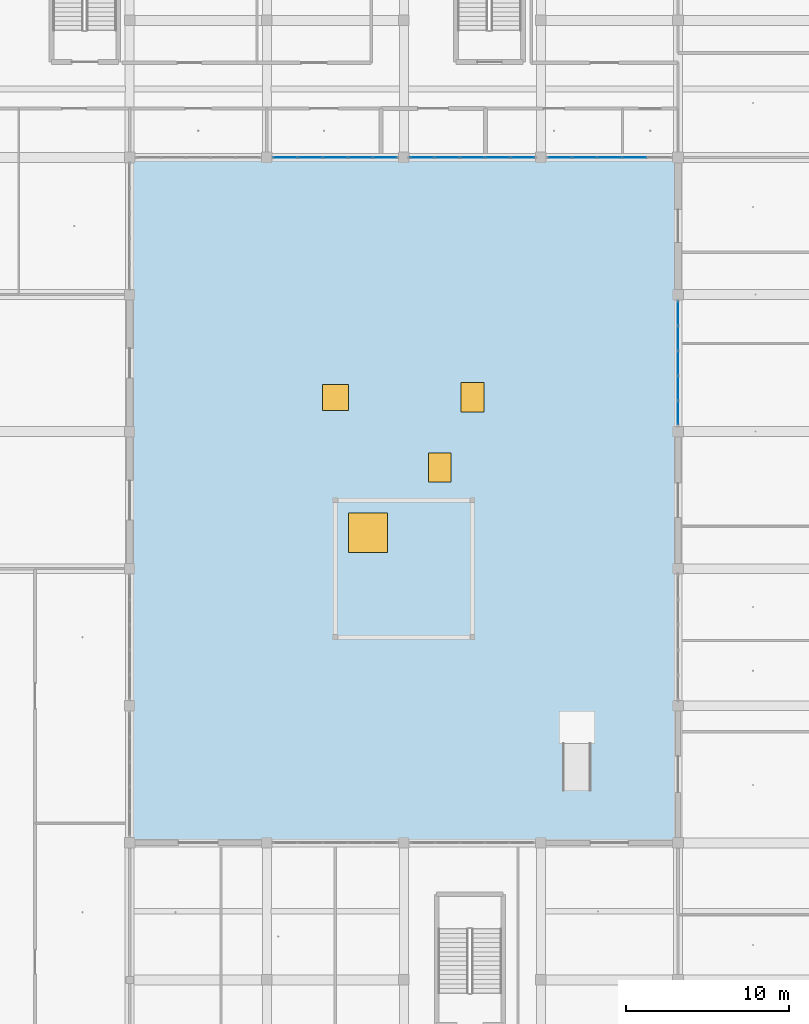
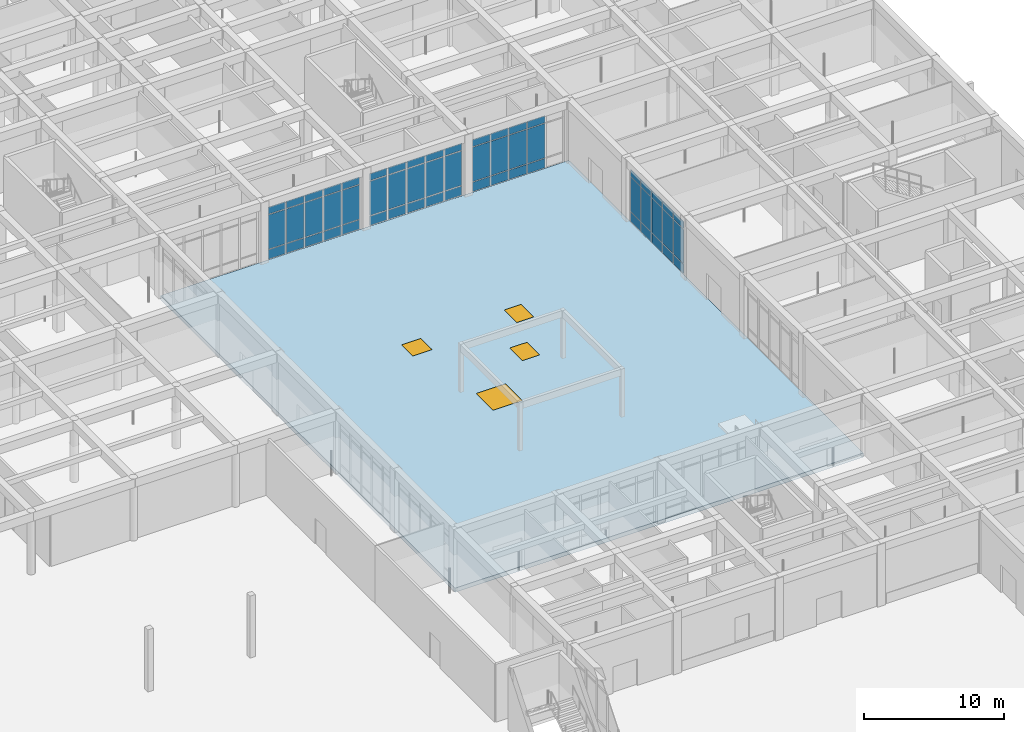
# One storey, part 58 of 167: 57 plates, 4 windows, 1 slab, 4 openings, 4 elements without a shape of their own.
"""IFC4 building model written with IfcOpenShell, lengths in metres."""

import ifcopenshell
import ifcopenshell.guid

model = None  # the IFC model being written
_history = None  # IfcOwnerHistory: only IFC2X3 demands one
_inside = {}  # id of a spatial element -> (the spatial element, [elements in it])
_under = {}  # id of a project, library or spatial element -> (it, [spatial elements below it])
_declared = {}  # id of a project -> (the project, [libraries it declares])
_typed = {}  # id of a type object -> (the type object, [elements of that type])
_made_of = {}  # id of a material, layer set ... -> (it, [elements and type objects made of it])


def new_model(schema):
    """Start an empty IFC model of exactly this schema.

    Asked for "IFC4X3", IfcOpenShell would pick the latest addendum, in which some entities
    have other attributes; the version numbers below select the first issue.
    IFC2X3 requires an IfcOwnerHistory on every rooted entity: one is made here for all.
    """
    global model, _history
    if schema == "IFC4X3":
        model = ifcopenshell.file(schema_version=(4, 3, 0, 0))
    else:
        model = ifcopenshell.file(schema=schema)
    _inside.clear()
    _under.clear()
    _declared.clear()
    _typed.clear()
    _made_of.clear()
    _history = None
    if model.schema == "IFC2X3":
        org = make("IfcOrganization", Name="unknown")
        user = make(
            "IfcPersonAndOrganization",
            ThePerson=make("IfcPerson", FamilyName="unknown"),
            TheOrganization=org,
        )
        app = make(
            "IfcApplication",
            ApplicationDeveloper=org,
            Version="unknown",
            ApplicationFullName="unknown",
            ApplicationIdentifier="unknown",
        )
        _history = make(
            "IfcOwnerHistory",
            OwningUser=user,
            OwningApplication=app,
            ChangeAction="ADDED",
            CreationDate=0,
        )
    return model


def make(cls, **values):
    """One entity of the class cls with the attributes given. An attribute that is None is left unset."""
    return model.create_entity(
        cls, **{name: value for name, value in values.items() if value is not None}
    )


def rooted(cls, **values):
    """An entity with a GlobalId (a new one), such as an element, a storey or a relation."""
    return make(cls, GlobalId=ifcopenshell.guid.new(), OwnerHistory=_history, **values)


def si_unit(unit_type, name, prefix=None):
    """IfcSIUnit, for example si_unit("LENGTHUNIT", "METRE", prefix="MILLI")."""
    return make("IfcSIUnit", UnitType=unit_type, Prefix=prefix, Name=name)


def assignment(units):
    """IfcUnitAssignment: the units of a project."""
    return None if units is None else make("IfcUnitAssignment", Units=units)


def point(xyz):
    """IfcCartesianPoint."""
    return None if xyz is None else make("IfcCartesianPoint", Coordinates=xyz)


def direction(xyz):
    """IfcDirection."""
    return None if xyz is None else make("IfcDirection", DirectionRatios=xyz)


def frame(location, z_axis=None, x_axis=None):
    """IfcAxis2Placement3D, a coordinate frame: its origin and axes. An axis left out is left unset."""
    return make(
        "IfcAxis2Placement3D",
        Location=point(location),
        Axis=direction(z_axis),
        RefDirection=direction(x_axis),
    )


def frame_2d(location, x_axis=None):
    """IfcAxis2Placement2D, a coordinate frame in the plane: its origin and x axis."""
    return make(
        "IfcAxis2Placement2D", Location=point(location), RefDirection=direction(x_axis)
    )


def origin():
    """The frame at (0, 0, 0) with its axes left unset."""
    return frame((0.0, 0.0, 0.0))


def origin_2d():
    """The frame at (0, 0) in the plane with its x axis left unset."""
    return frame_2d((0.0, 0.0))


def place(relative_to, where):
    """IfcLocalPlacement: puts the frame where relative to a parent placement (None: the world)."""
    return make(
        "IfcLocalPlacement", PlacementRelTo=relative_to, RelativePlacement=where
    )


def context(
    kind, dimensions, precision=None, world=None, true_north=None, identifier=None
):
    """IfcGeometricRepresentationContext, for example the 3D "Model" context."""
    return make(
        "IfcGeometricRepresentationContext",
        ContextIdentifier=identifier,
        ContextType=kind,
        CoordinateSpaceDimension=dimensions,
        Precision=precision,
        WorldCoordinateSystem=world,
        TrueNorth=true_north,
    )


def subcontext(parent, identifier, kind, view, scale=None):
    """IfcGeometricRepresentationSubContext, for example "Body" below "Model"."""
    return make(
        "IfcGeometricRepresentationSubContext",
        ContextIdentifier=identifier,
        ContextType=kind,
        ParentContext=parent,
        TargetScale=scale,
        TargetView=view,
    )


def project(units=None, contexts=None):
    """IfcProject with its units and contexts."""
    return rooted(
        "IfcProject",
        Name="project",
        RepresentationContexts=contexts,
        UnitsInContext=assignment(units),
    )


def spatial(cls, under=None, at=None, **own):
    """A site, building, storey or space (cls), placed at a placement, below another one or the project."""
    s = rooted(cls, ObjectPlacement=at, **own)
    if under is not None:
        _under.setdefault(under.id(), (under, []))[1].append(s)
    return s


def polyline(points):
    """IfcPolyline through the points."""
    return make("IfcPolyline", Points=[point(p) for p in points])


def profile(cls, at=None, kind="AREA", **sizes):
    """A parametric profile (cls). Its sizes go by their IFC names, for example OverallWidth=200.0."""
    return make(cls, ProfileType=kind, Position=at, **sizes)


def rectangle(**sizes):
    """IfcRectangleProfileDef."""
    return profile("IfcRectangleProfileDef", **sizes)


def outline(outer, holes=None, kind="AREA"):
    """IfcArbitraryClosedProfileDef: a profile drawn as a closed curve; with holes, ...WithVoids."""
    if holes is None:
        return make("IfcArbitraryClosedProfileDef", ProfileType=kind, OuterCurve=outer)
    return make(
        "IfcArbitraryProfileDefWithVoids",
        ProfileType=kind,
        OuterCurve=outer,
        InnerCurves=holes,
    )


def extrude(swept, where, along, depth):
    """IfcExtrudedAreaSolid: the profile swept, set in the frame where, extruded along a direction by depth."""
    return make(
        "IfcExtrudedAreaSolid",
        SweptArea=swept,
        Position=where,
        ExtrudedDirection=direction(along),
        Depth=depth,
    )


def shape(context_of_items, identifier, shape_type, items):
    """IfcShapeRepresentation: the items that make up one representation, for example the "Body"."""
    return make(
        "IfcShapeRepresentation",
        ContextOfItems=context_of_items,
        RepresentationIdentifier=identifier,
        RepresentationType=shape_type,
        Items=items,
    )


def material(Name=None, Category=None):
    """IfcMaterial."""
    return make("IfcMaterial", Name=Name, Category=Category)


def layer(
    of_material, thickness, ventilated=None, Name=None, Category=None, Priority=None
):
    """IfcMaterialLayer: one layer of a wall or slab, of a material (None: an air gap)."""
    return make(
        "IfcMaterialLayer",
        Material=of_material,
        LayerThickness=thickness,
        IsVentilated=ventilated,
        Name=Name,
        Category=Category,
        Priority=Priority,
    )


def layer_set(layers, Name=None):
    """IfcMaterialLayerSet."""
    return make("IfcMaterialLayerSet", MaterialLayers=layers, LayerSetName=Name)


def made_of(thing, what):
    """Note that an element or type object is made of a material, layer set ...; save() writes the relation."""
    if what is not None:
        _made_of.setdefault(what.id(), (what, []))[1].append(thing)
    return thing


def type_object(cls, material=None, **own):
    """A type object (cls), such as IfcWallType, which elements share."""
    return made_of(rooted(cls, **own), material)


def element(
    cls,
    number,
    at=None,
    inside=None,
    cuts=None,
    type_object=None,
    material=None,
    context=None,
    identifier="Body",
    shape_type=None,
    held_by="IfcProductDefinitionShape",
    body=None,
    shapes=None,
    **own,
):
    """One element of the class cls, such as IfcWall. Its Tag is "e" and its number.

    at: its placement. inside: the storey or other place that contains it. cuts: it is an
    opening in that element (IfcRelVoidsElement). A single representation is given by context,
    identifier, shape_type and body (its items); several are given by shapes. held_by: the class
    of the entity that holds the representations. save() writes the other relations.
    """
    e = rooted(cls, Tag="e%d" % number, ObjectPlacement=at, **own)
    if body is not None:
        shapes = [shape(context, identifier, shape_type, body)]
    if shapes is not None:
        e.Representation = make(held_by, Representations=shapes)
    if inside is not None:
        _inside.setdefault(inside.id(), (inside, []))[1].append(e)
    if cuts is not None:
        rooted(
            "IfcRelVoidsElement", RelatingBuildingElement=cuts, RelatedOpeningElement=e
        )
    if type_object is not None:
        _typed.setdefault(type_object.id(), (type_object, []))[1].append(e)
    return made_of(e, material)


def fill(opening, filler):
    """IfcRelFillsElement: the door or window that sits in an opening."""
    return rooted(
        "IfcRelFillsElement",
        RelatingOpeningElement=opening,
        RelatedBuildingElement=filler,
    )


def aggregate(whole, parts):
    """IfcRelAggregates: a whole, such as a stair, and the parts it consists of."""
    return rooted("IfcRelAggregates", RelatingObject=whole, RelatedObjects=parts)


def save(model, path):
    """Write the relations noted so far, then the file.

    IfcRelAggregates (storeys below a building ...), IfcRelContainedInSpatialStructure (elements
    in a storey), IfcRelDefinesByType, IfcRelAssociatesMaterial and IfcRelDeclares: one each for
    every whole, place, type object, material and project.
    """
    for whole, parts in _under.values():
        aggregate(whole, parts)
    for where, things in _inside.values():
        rooted(
            "IfcRelContainedInSpatialStructure",
            RelatedElements=things,
            RelatingStructure=where,
        )
    for kind, things in _typed.values():
        rooted("IfcRelDefinesByType", RelatedObjects=things, RelatingType=kind)
    for what, things in _made_of.values():
        rooted("IfcRelAssociatesMaterial", RelatedObjects=things, RelatingMaterial=what)
    for by, libraries in _declared.values():
        rooted("IfcRelDeclares", RelatingContext=by, RelatedDefinitions=libraries)
    model.write(path)


model = new_model("IFC4")

# Units and contexts
model_context = context("Model", 3, precision=1e-05, world=origin(), true_north=direction((0.0, 1.0)))
body_context = subcontext(model_context, "Body", "Model", "MODEL_VIEW")
ifc_project = project(units=[si_unit("LENGTHUNIT", "METRE"), si_unit("AREAUNIT", "SQUARE_METRE"), si_unit("VOLUMEUNIT", "CUBIC_METRE"), si_unit("PLANEANGLEUNIT", "RADIAN"), si_unit("MASSUNIT", "GRAM", prefix="KILO")], contexts=[model_context])

# Site, building, storey
site_placement = place(None, origin())
site = spatial("IfcSite", under=ifc_project, at=site_placement, CompositionType="ELEMENT")
building_placement = place(site_placement, origin())
building = spatial("IfcBuilding", under=site, at=building_placement, Name="Varncliffe General Hospital", CompositionType="ELEMENT")
storey_placement = place(building_placement, origin())
storey = spatial("IfcBuildingStorey", under=building, at=storey_placement, Name="L00", CompositionType="ELEMENT", Elevation=0.0)

# Curtain wall, plates
ifc_material_1 = material(Name="Triple low-E argon insulated vision glazing", Category="glass")
curtain_wall_type_1 = type_object("IfcCurtainWallType", Name="Unitised Glazed Curtain Wall CW26 (7594x4640)", PredefinedType="USERDEFINED", material=ifc_material_1)
curtain_wall_1_placement = place(storey_placement, origin())
curtain_wall_1 = element("IfcCurtainWall", 1, at=curtain_wall_1_placement, inside=storey, type_object=curtain_wall_type_1, Name="L00 Glazed Curtain Wall CW26-32", ObjectType="GLAZED CURTAIN WALL", PredefinedType="USERDEFINED")
ifc_layer_1 = layer(ifc_material_1, 0.0439453125)
ifc_layer_set_1 = layer_set([ifc_layer_1], Name="Triple low-E argon insulated vision glazing")
plate_type_1 = type_object("IfcPlateType", Name="Curtain Wall Glazing Panel CP12 (44mm)", PredefinedType="CURTAIN_PANEL", material=ifc_layer_set_1)
plate_1_placement = place(storey_placement, frame((148.518798828125, 82.800048828125, 0.06005859375), z_axis=(0.0, 0.0, 1.0), x_axis=(-1.0, 0.0, 0.0)))
plate_1 = element("IfcPlate", 2, at=plate_1_placement, type_object=plate_type_1, Name="CW26 panel 2.1", PredefinedType="CURTAIN_PANEL", context=body_context, shape_type="SweptSolid", body=[
    extrude(rectangle(XDim=1.453857421875, YDim=0.0439453125, at=origin_2d()), origin(), (0.0, 0.0, 1.0), 0.81005859375),
])
plate_2_placement = place(storey_placement, frame((148.518798828125, 82.800048828125, 0.929931640625), z_axis=(0.0, 0.0, 1.0), x_axis=(-1.0, 0.0, 0.0)))
plate_2 = element("IfcPlate", 3, at=plate_2_placement, type_object=plate_type_1, Name="CW26 panel 2.2", PredefinedType="CURTAIN_PANEL", context=body_context, shape_type="SweptSolid", body=[
    extrude(rectangle(XDim=1.453857421875, YDim=0.0439453125, at=origin_2d()), origin(), (0.0, 0.0, 1.0), 2.97998046875),
])
plate_3_placement = place(storey_placement, frame((148.518798828125, 82.800048828125, 3.9697265625), z_axis=(0.0, 0.0, 1.0), x_axis=(-1.0, 0.0, 0.0)))
plate_3 = element("IfcPlate", 4, at=plate_3_placement, type_object=plate_type_1, Name="CW26 panel 2.3", PredefinedType="CURTAIN_PANEL", context=body_context, shape_type="SweptSolid", body=[
    extrude(rectangle(XDim=1.453857421875, YDim=0.0439453125, at=origin_2d()), origin(), (0.0, 0.0, 1.0), 0.610107421875),
])
plate_4_placement = place(storey_placement, frame((147.0, 82.800048828125, 0.06005859375), z_axis=(0.0, 0.0, 1.0), x_axis=(-1.0, 0.0, 0.0)))
plate_4 = element("IfcPlate", 5, at=plate_4_placement, type_object=plate_type_1, Name="CW26 panel 3.1", PredefinedType="CURTAIN_PANEL", context=body_context, shape_type="SweptSolid", body=[
    extrude(rectangle(XDim=1.453857421875, YDim=0.0439453125, at=origin_2d()), origin(), (0.0, 0.0, 1.0), 0.81005859375),
])
plate_5_placement = place(storey_placement, frame((147.0, 82.800048828125, 0.929931640625), z_axis=(0.0, 0.0, 1.0), x_axis=(-1.0, 0.0, 0.0)))
plate_5 = element("IfcPlate", 6, at=plate_5_placement, type_object=plate_type_1, Name="CW26 panel 3.2", PredefinedType="CURTAIN_PANEL", context=body_context, shape_type="SweptSolid", body=[
    extrude(rectangle(XDim=1.453857421875, YDim=0.0439453125, at=origin_2d()), origin(), (0.0, 0.0, 1.0), 2.97998046875),
])
plate_6_placement = place(storey_placement, frame((147.0, 82.800048828125, 3.9697265625), z_axis=(0.0, 0.0, 1.0), x_axis=(-1.0, 0.0, 0.0)))
plate_6 = element("IfcPlate", 7, at=plate_6_placement, type_object=plate_type_1, Name="CW26 panel 3.3", PredefinedType="CURTAIN_PANEL", context=body_context, shape_type="SweptSolid", body=[
    extrude(rectangle(XDim=1.453857421875, YDim=0.0439453125, at=origin_2d()), origin(), (0.0, 0.0, 1.0), 0.610107421875),
])
plate_7_placement = place(storey_placement, frame((145.481201171875, 82.800048828125, 0.06005859375), z_axis=(0.0, 0.0, 1.0), x_axis=(-1.0, 0.0, 0.0)))
plate_7 = element("IfcPlate", 8, at=plate_7_placement, type_object=plate_type_1, Name="CW26 panel 4.1", PredefinedType="CURTAIN_PANEL", context=body_context, shape_type="SweptSolid", body=[
    extrude(rectangle(XDim=1.453857421875, YDim=0.0439453125, at=origin_2d()), origin(), (0.0, 0.0, 1.0), 0.81005859375),
])
plate_8_placement = place(storey_placement, frame((145.481201171875, 82.800048828125, 0.929931640625), z_axis=(0.0, 0.0, 1.0), x_axis=(-1.0, 0.0, 0.0)))
plate_8 = element("IfcPlate", 9, at=plate_8_placement, type_object=plate_type_1, Name="CW26 panel 4.2", PredefinedType="CURTAIN_PANEL", context=body_context, shape_type="SweptSolid", body=[
    extrude(rectangle(XDim=1.453857421875, YDim=0.0439453125, at=origin_2d()), origin(), (0.0, 0.0, 1.0), 2.97998046875),
])
plate_9_placement = place(storey_placement, frame((145.481201171875, 82.800048828125, 3.9697265625), z_axis=(0.0, 0.0, 1.0), x_axis=(-1.0, 0.0, 0.0)))
plate_9 = element("IfcPlate", 10, at=plate_9_placement, type_object=plate_type_1, Name="CW26 panel 4.3", PredefinedType="CURTAIN_PANEL", context=body_context, shape_type="SweptSolid", body=[
    extrude(rectangle(XDim=1.453857421875, YDim=0.0439453125, at=origin_2d()), origin(), (0.0, 0.0, 1.0), 0.610107421875),
])
plate_10_placement = place(storey_placement, frame((143.978759765625, 82.800048828125, 0.06005859375), z_axis=(0.0, 0.0, 1.0), x_axis=(-1.0, 0.0, 0.0)))
plate_10 = element("IfcPlate", 11, at=plate_10_placement, type_object=plate_type_1, Name="CW26 panel 5.1", PredefinedType="CURTAIN_PANEL", context=body_context, shape_type="SweptSolid", body=[
    extrude(rectangle(XDim=1.42138671875, YDim=0.0439453125, at=origin_2d()), origin(), (0.0, 0.0, 1.0), 0.81005859375),
])
plate_11_placement = place(storey_placement, frame((143.978759765625, 82.800048828125, 0.929931640625), z_axis=(0.0, 0.0, 1.0), x_axis=(-1.0, 0.0, 0.0)))
plate_11 = element("IfcPlate", 12, at=plate_11_placement, type_object=plate_type_1, Name="CW26 panel 5.2", PredefinedType="CURTAIN_PANEL", context=body_context, shape_type="SweptSolid", body=[
    extrude(rectangle(XDim=1.42138671875, YDim=0.0439453125, at=origin_2d()), origin(), (0.0, 0.0, 1.0), 2.97998046875),
])
plate_12_placement = place(storey_placement, frame((143.978759765625, 82.800048828125, 3.9697265625), z_axis=(0.0, 0.0, 1.0), x_axis=(-1.0, 0.0, 0.0)))
plate_12 = element("IfcPlate", 13, at=plate_12_placement, type_object=plate_type_1, Name="CW26 panel 5.3", PredefinedType="CURTAIN_PANEL", context=body_context, shape_type="SweptSolid", body=[
    extrude(rectangle(XDim=1.42138671875, YDim=0.0439453125, at=origin_2d()), origin(), (0.0, 0.0, 1.0), 0.610107421875),
])
aggregate(curtain_wall_1, [plate_1, plate_2, plate_3, plate_4, plate_5, plate_6, plate_7, plate_8, plate_9, plate_10, plate_11, plate_12])

curtain_wall_type_2 = type_object("IfcCurtainWallType", Name="Unitised Glazed Curtain Wall CW15 (7674x4640)", PredefinedType="USERDEFINED", material=ifc_material_1)
curtain_wall_2_placement = place(storey_placement, origin())
curtain_wall_2 = element("IfcCurtainWall", 14, at=curtain_wall_2_placement, inside=storey, type_object=curtain_wall_type_2, Name="L00 Glazed Curtain Wall CW15-31", ObjectType="GLAZED CURTAIN WALL", PredefinedType="USERDEFINED")
ifc_layer_2 = layer(ifc_material_1, 0.035888671875)
ifc_layer_set_2 = layer_set([ifc_layer_2], Name="Triple low-E argon insulated vision glazing")
plate_type_2 = type_object("IfcPlateType", Name="Curtain Wall Glazing Panel CP27 (36mm)", PredefinedType="CURTAIN_PANEL", material=ifc_layer_set_2)
plate_13_placement = place(storey_placement, frame((151.199951171875, 67.149169921875, 0.06005859375), z_axis=(0.0, 0.0, 1.0), x_axis=(0.0, 1.0, 0.0)))
plate_13 = element("IfcPlate", 15, at=plate_13_placement, type_object=plate_type_2, Name="CW15 panel 1.1", PredefinedType="CURTAIN_PANEL", context=body_context, shape_type="SweptSolid", body=[
    extrude(rectangle(XDim=1.42236328125, YDim=0.035888671875, at=origin_2d()), origin(), (0.0, 0.0, 1.0), 0.81005859375),
])
plate_14_placement = place(storey_placement, frame((151.199951171875, 67.149169921875, 0.929931640625), z_axis=(0.0, 0.0, 1.0), x_axis=(0.0, 1.0, 0.0)))
plate_14 = element("IfcPlate", 16, at=plate_14_placement, type_object=plate_type_2, Name="CW15 panel 1.2", PredefinedType="CURTAIN_PANEL", context=body_context, shape_type="SweptSolid", body=[
    extrude(rectangle(XDim=1.42236328125, YDim=0.035888671875, at=origin_2d()), origin(), (0.0, 0.0, 1.0), 2.97998046875),
])
plate_15_placement = place(storey_placement, frame((151.199951171875, 67.149169921875, 3.9697265625), z_axis=(0.0, 0.0, 1.0), x_axis=(0.0, 1.0, 0.0)))
plate_15 = element("IfcPlate", 17, at=plate_15_placement, type_object=plate_type_2, Name="CW15 panel 1.3", PredefinedType="CURTAIN_PANEL", context=body_context, shape_type="SweptSolid", body=[
    extrude(rectangle(XDim=1.42236328125, YDim=0.035888671875, at=origin_2d()), origin(), (0.0, 0.0, 1.0), 0.610107421875),
])
plate_16_placement = place(storey_placement, frame((151.199951171875, 68.665283203125, 0.06005859375), z_axis=(0.0, 0.0, 1.0), x_axis=(0.0, 1.0, 0.0)))
plate_16 = element("IfcPlate", 18, at=plate_16_placement, type_object=plate_type_2, Name="CW15 panel 2.1", PredefinedType="CURTAIN_PANEL", context=body_context, shape_type="SweptSolid", body=[
    extrude(rectangle(XDim=1.459716796875, YDim=0.035888671875, at=origin_2d()), origin(), (0.0, 0.0, 1.0), 0.81005859375),
])
plate_17_placement = place(storey_placement, frame((151.199951171875, 68.665283203125, 0.929931640625), z_axis=(0.0, 0.0, 1.0), x_axis=(0.0, 1.0, 0.0)))
plate_17 = element("IfcPlate", 19, at=plate_17_placement, type_object=plate_type_2, Name="CW15 panel 2.2", PredefinedType="CURTAIN_PANEL", context=body_context, shape_type="SweptSolid", body=[
    extrude(rectangle(XDim=1.459716796875, YDim=0.035888671875, at=origin_2d()), origin(), (0.0, 0.0, 1.0), 2.97998046875),
])
plate_18_placement = place(storey_placement, frame((151.199951171875, 68.665283203125, 3.9697265625), z_axis=(0.0, 0.0, 1.0), x_axis=(0.0, 1.0, 0.0)))
plate_18 = element("IfcPlate", 20, at=plate_18_placement, type_object=plate_type_2, Name="CW15 panel 2.3", PredefinedType="CURTAIN_PANEL", context=body_context, shape_type="SweptSolid", body=[
    extrude(rectangle(XDim=1.459716796875, YDim=0.035888671875, at=origin_2d()), origin(), (0.0, 0.0, 1.0), 0.610107421875),
])
plate_19_placement = place(storey_placement, frame((151.199951171875, 70.199951171875, 0.06005859375), z_axis=(0.0, 0.0, 1.0), x_axis=(0.0, 1.0, 0.0)))
plate_19 = element("IfcPlate", 21, at=plate_19_placement, type_object=plate_type_2, Name="CW15 panel 3.1", PredefinedType="CURTAIN_PANEL", context=body_context, shape_type="SweptSolid", body=[
    extrude(rectangle(XDim=1.459716796875, YDim=0.035888671875, at=origin_2d()), origin(), (0.0, 0.0, 1.0), 0.81005859375),
])
plate_20_placement = place(storey_placement, frame((151.199951171875, 70.199951171875, 0.929931640625), z_axis=(0.0, 0.0, 1.0), x_axis=(0.0, 1.0, 0.0)))
plate_20 = element("IfcPlate", 22, at=plate_20_placement, type_object=plate_type_2, Name="CW15 panel 3.2", PredefinedType="CURTAIN_PANEL", context=body_context, shape_type="SweptSolid", body=[
    extrude(rectangle(XDim=1.459716796875, YDim=0.035888671875, at=origin_2d()), origin(), (0.0, 0.0, 1.0), 2.97998046875),
])
plate_21_placement = place(storey_placement, frame((151.199951171875, 70.199951171875, 3.9697265625), z_axis=(0.0, 0.0, 1.0), x_axis=(0.0, 1.0, 0.0)))
plate_21 = element("IfcPlate", 23, at=plate_21_placement, type_object=plate_type_2, Name="CW15 panel 3.3", PredefinedType="CURTAIN_PANEL", context=body_context, shape_type="SweptSolid", body=[
    extrude(rectangle(XDim=1.459716796875, YDim=0.035888671875, at=origin_2d()), origin(), (0.0, 0.0, 1.0), 0.610107421875),
])
plate_22_placement = place(storey_placement, frame((151.199951171875, 71.73486328125, 0.06005859375), z_axis=(0.0, 0.0, 1.0), x_axis=(0.0, 1.0, 0.0)))
plate_22 = element("IfcPlate", 24, at=plate_22_placement, type_object=plate_type_2, Name="CW15 panel 4.1", PredefinedType="CURTAIN_PANEL", context=body_context, shape_type="SweptSolid", body=[
    extrude(rectangle(XDim=1.459716796875, YDim=0.035888671875, at=origin_2d()), origin(), (0.0, 0.0, 1.0), 0.81005859375),
])
plate_23_placement = place(storey_placement, frame((151.199951171875, 71.73486328125, 0.929931640625), z_axis=(0.0, 0.0, 1.0), x_axis=(0.0, 1.0, 0.0)))
plate_23 = element("IfcPlate", 25, at=plate_23_placement, type_object=plate_type_2, Name="CW15 panel 4.2", PredefinedType="CURTAIN_PANEL", context=body_context, shape_type="SweptSolid", body=[
    extrude(rectangle(XDim=1.459716796875, YDim=0.035888671875, at=origin_2d()), origin(), (0.0, 0.0, 1.0), 2.97998046875),
])
plate_24_placement = place(storey_placement, frame((151.199951171875, 71.73486328125, 3.9697265625), z_axis=(0.0, 0.0, 1.0), x_axis=(0.0, 1.0, 0.0)))
plate_24 = element("IfcPlate", 26, at=plate_24_placement, type_object=plate_type_2, Name="CW15 panel 4.3", PredefinedType="CURTAIN_PANEL", context=body_context, shape_type="SweptSolid", body=[
    extrude(rectangle(XDim=1.459716796875, YDim=0.035888671875, at=origin_2d()), origin(), (0.0, 0.0, 1.0), 0.610107421875),
])
plate_25_placement = place(storey_placement, frame((151.199951171875, 73.250732421875, 0.06005859375), z_axis=(0.0, 0.0, 1.0), x_axis=(0.0, 1.0, 0.0)))
plate_25 = element("IfcPlate", 27, at=plate_25_placement, type_object=plate_type_2, Name="CW15 panel 5.1", PredefinedType="CURTAIN_PANEL", context=body_context, shape_type="SweptSolid", body=[
    extrude(rectangle(XDim=1.42236328125, YDim=0.035888671875, at=origin_2d()), origin(), (0.0, 0.0, 1.0), 0.81005859375),
])
plate_26_placement = place(storey_placement, frame((151.199951171875, 73.250732421875, 0.929931640625), z_axis=(0.0, 0.0, 1.0), x_axis=(0.0, 1.0, 0.0)))
plate_26 = element("IfcPlate", 28, at=plate_26_placement, type_object=plate_type_2, Name="CW15 panel 5.2", PredefinedType="CURTAIN_PANEL", context=body_context, shape_type="SweptSolid", body=[
    extrude(rectangle(XDim=1.42236328125, YDim=0.035888671875, at=origin_2d()), origin(), (0.0, 0.0, 1.0), 2.97998046875),
])
plate_27_placement = place(storey_placement, frame((151.199951171875, 73.250732421875, 3.9697265625), z_axis=(0.0, 0.0, 1.0), x_axis=(0.0, 1.0, 0.0)))
plate_27 = element("IfcPlate", 29, at=plate_27_placement, type_object=plate_type_2, Name="CW15 panel 5.3", PredefinedType="CURTAIN_PANEL", context=body_context, shape_type="SweptSolid", body=[
    extrude(rectangle(XDim=1.42236328125, YDim=0.035888671875, at=origin_2d()), origin(), (0.0, 0.0, 1.0), 0.610107421875),
])
aggregate(curtain_wall_2, [plate_13, plate_14, plate_15, plate_16, plate_17, plate_18, plate_19, plate_20, plate_21, plate_22, plate_23, plate_24, plate_25, plate_26, plate_27])

curtain_wall_3_placement = place(storey_placement, origin())
curtain_wall_3 = element("IfcCurtainWall", 30, at=curtain_wall_3_placement, inside=storey, type_object=curtain_wall_type_2, Name="L00 Glazed Curtain Wall CW15-34", ObjectType="GLAZED CURTAIN WALL", PredefinedType="USERDEFINED")
plate_28_placement = place(storey_placement, frame((133.250732421875, 82.800048828125, 0.06005859375), z_axis=(0.0, 0.0, 1.0), x_axis=(-1.0, 0.0, 0.0)))
plate_28 = element("IfcPlate", 31, at=plate_28_placement, type_object=plate_type_2, Name="CW15 panel 1.1", PredefinedType="CURTAIN_PANEL", context=body_context, shape_type="SweptSolid", body=[
    extrude(rectangle(XDim=1.42236328125, YDim=0.035888671875, at=origin_2d()), origin(), (0.0, 0.0, 1.0), 0.81005859375),
])
plate_29_placement = place(storey_placement, frame((133.250732421875, 82.800048828125, 0.929931640625), z_axis=(0.0, 0.0, 1.0), x_axis=(-1.0, 0.0, 0.0)))
plate_29 = element("IfcPlate", 32, at=plate_29_placement, type_object=plate_type_2, Name="CW15 panel 1.2", PredefinedType="CURTAIN_PANEL", context=body_context, shape_type="SweptSolid", body=[
    extrude(rectangle(XDim=1.42236328125, YDim=0.035888671875, at=origin_2d()), origin(), (0.0, 0.0, 1.0), 2.97998046875),
])
plate_30_placement = place(storey_placement, frame((133.250732421875, 82.800048828125, 3.9697265625), z_axis=(0.0, 0.0, 1.0), x_axis=(-1.0, 0.0, 0.0)))
plate_30 = element("IfcPlate", 33, at=plate_30_placement, type_object=plate_type_2, Name="CW15 panel 1.3", PredefinedType="CURTAIN_PANEL", context=body_context, shape_type="SweptSolid", body=[
    extrude(rectangle(XDim=1.42236328125, YDim=0.035888671875, at=origin_2d()), origin(), (0.0, 0.0, 1.0), 0.610107421875),
])
plate_31_placement = place(storey_placement, frame((131.73486328125, 82.800048828125, 0.06005859375), z_axis=(0.0, 0.0, 1.0), x_axis=(-1.0, 0.0, 0.0)))
plate_31 = element("IfcPlate", 34, at=plate_31_placement, type_object=plate_type_2, Name="CW15 panel 2.1", PredefinedType="CURTAIN_PANEL", context=body_context, shape_type="SweptSolid", body=[
    extrude(rectangle(XDim=1.459716796875, YDim=0.035888671875, at=origin_2d()), origin(), (0.0, 0.0, 1.0), 0.81005859375),
])
plate_32_placement = place(storey_placement, frame((131.73486328125, 82.800048828125, 0.929931640625), z_axis=(0.0, 0.0, 1.0), x_axis=(-1.0, 0.0, 0.0)))
plate_32 = element("IfcPlate", 35, at=plate_32_placement, type_object=plate_type_2, Name="CW15 panel 2.2", PredefinedType="CURTAIN_PANEL", context=body_context, shape_type="SweptSolid", body=[
    extrude(rectangle(XDim=1.459716796875, YDim=0.035888671875, at=origin_2d()), origin(), (0.0, 0.0, 1.0), 2.97998046875),
])
plate_33_placement = place(storey_placement, frame((131.73486328125, 82.800048828125, 3.9697265625), z_axis=(0.0, 0.0, 1.0), x_axis=(-1.0, 0.0, 0.0)))
plate_33 = element("IfcPlate", 36, at=plate_33_placement, type_object=plate_type_2, Name="CW15 panel 2.3", PredefinedType="CURTAIN_PANEL", context=body_context, shape_type="SweptSolid", body=[
    extrude(rectangle(XDim=1.459716796875, YDim=0.035888671875, at=origin_2d()), origin(), (0.0, 0.0, 1.0), 0.610107421875),
])
plate_34_placement = place(storey_placement, frame((130.199951171875, 82.800048828125, 0.06005859375), z_axis=(0.0, 0.0, 1.0), x_axis=(-1.0, 0.0, 0.0)))
plate_34 = element("IfcPlate", 37, at=plate_34_placement, type_object=plate_type_2, Name="CW15 panel 3.1", PredefinedType="CURTAIN_PANEL", context=body_context, shape_type="SweptSolid", body=[
    extrude(rectangle(XDim=1.459716796875, YDim=0.035888671875, at=origin_2d()), origin(), (0.0, 0.0, 1.0), 0.81005859375),
])
plate_35_placement = place(storey_placement, frame((130.199951171875, 82.800048828125, 0.929931640625), z_axis=(0.0, 0.0, 1.0), x_axis=(-1.0, 0.0, 0.0)))
plate_35 = element("IfcPlate", 38, at=plate_35_placement, type_object=plate_type_2, Name="CW15 panel 3.2", PredefinedType="CURTAIN_PANEL", context=body_context, shape_type="SweptSolid", body=[
    extrude(rectangle(XDim=1.459716796875, YDim=0.035888671875, at=origin_2d()), origin(), (0.0, 0.0, 1.0), 2.97998046875),
])
plate_36_placement = place(storey_placement, frame((130.199951171875, 82.800048828125, 3.9697265625), z_axis=(0.0, 0.0, 1.0), x_axis=(-1.0, 0.0, 0.0)))
plate_36 = element("IfcPlate", 39, at=plate_36_placement, type_object=plate_type_2, Name="CW15 panel 3.3", PredefinedType="CURTAIN_PANEL", context=body_context, shape_type="SweptSolid", body=[
    extrude(rectangle(XDim=1.459716796875, YDim=0.035888671875, at=origin_2d()), origin(), (0.0, 0.0, 1.0), 0.610107421875),
])
plate_37_placement = place(storey_placement, frame((128.665283203125, 82.800048828125, 0.06005859375), z_axis=(0.0, 0.0, 1.0), x_axis=(-1.0, 0.0, 0.0)))
plate_37 = element("IfcPlate", 40, at=plate_37_placement, type_object=plate_type_2, Name="CW15 panel 4.1", PredefinedType="CURTAIN_PANEL", context=body_context, shape_type="SweptSolid", body=[
    extrude(rectangle(XDim=1.459716796875, YDim=0.035888671875, at=origin_2d()), origin(), (0.0, 0.0, 1.0), 0.81005859375),
])
plate_38_placement = place(storey_placement, frame((128.665283203125, 82.800048828125, 0.929931640625), z_axis=(0.0, 0.0, 1.0), x_axis=(-1.0, 0.0, 0.0)))
plate_38 = element("IfcPlate", 41, at=plate_38_placement, type_object=plate_type_2, Name="CW15 panel 4.2", PredefinedType="CURTAIN_PANEL", context=body_context, shape_type="SweptSolid", body=[
    extrude(rectangle(XDim=1.459716796875, YDim=0.035888671875, at=origin_2d()), origin(), (0.0, 0.0, 1.0), 2.97998046875),
])
plate_39_placement = place(storey_placement, frame((128.665283203125, 82.800048828125, 3.9697265625), z_axis=(0.0, 0.0, 1.0), x_axis=(-1.0, 0.0, 0.0)))
plate_39 = element("IfcPlate", 42, at=plate_39_placement, type_object=plate_type_2, Name="CW15 panel 4.3", PredefinedType="CURTAIN_PANEL", context=body_context, shape_type="SweptSolid", body=[
    extrude(rectangle(XDim=1.459716796875, YDim=0.035888671875, at=origin_2d()), origin(), (0.0, 0.0, 1.0), 0.610107421875),
])
plate_40_placement = place(storey_placement, frame((127.149169921875, 82.800048828125, 0.06005859375), z_axis=(0.0, 0.0, 1.0), x_axis=(-1.0, 0.0, 0.0)))
plate_40 = element("IfcPlate", 43, at=plate_40_placement, type_object=plate_type_2, Name="CW15 panel 5.1", PredefinedType="CURTAIN_PANEL", context=body_context, shape_type="SweptSolid", body=[
    extrude(rectangle(XDim=1.42236328125, YDim=0.035888671875, at=origin_2d()), origin(), (0.0, 0.0, 1.0), 0.81005859375),
])
plate_41_placement = place(storey_placement, frame((127.149169921875, 82.800048828125, 0.929931640625), z_axis=(0.0, 0.0, 1.0), x_axis=(-1.0, 0.0, 0.0)))
plate_41 = element("IfcPlate", 44, at=plate_41_placement, type_object=plate_type_2, Name="CW15 panel 5.2", PredefinedType="CURTAIN_PANEL", context=body_context, shape_type="SweptSolid", body=[
    extrude(rectangle(XDim=1.42236328125, YDim=0.035888671875, at=origin_2d()), origin(), (0.0, 0.0, 1.0), 2.97998046875),
])
plate_42_placement = place(storey_placement, frame((127.149169921875, 82.800048828125, 3.9697265625), z_axis=(0.0, 0.0, 1.0), x_axis=(-1.0, 0.0, 0.0)))
plate_42 = element("IfcPlate", 45, at=plate_42_placement, type_object=plate_type_2, Name="CW15 panel 5.3", PredefinedType="CURTAIN_PANEL", context=body_context, shape_type="SweptSolid", body=[
    extrude(rectangle(XDim=1.42236328125, YDim=0.035888671875, at=origin_2d()), origin(), (0.0, 0.0, 1.0), 0.610107421875),
])
aggregate(curtain_wall_3, [plate_28, plate_29, plate_30, plate_31, plate_32, plate_33, plate_34, plate_35, plate_36, plate_37, plate_38, plate_39, plate_40, plate_41, plate_42])

curtain_wall_type_3 = type_object("IfcCurtainWallType", Name="Unitised Glazed Curtain Wall CW66 (7754x4640)", PredefinedType="USERDEFINED", material=ifc_material_1)
curtain_wall_4_placement = place(storey_placement, origin())
curtain_wall_4 = element("IfcCurtainWall", 46, at=curtain_wall_4_placement, inside=storey, type_object=curtain_wall_type_3, Name="L00 Glazed Curtain Wall CW66-33", ObjectType="GLAZED CURTAIN WALL", PredefinedType="USERDEFINED")
ifc_layer_3 = layer(ifc_material_1, 0.028076171875)
ifc_layer_set_3 = layer_set([ifc_layer_3], Name="Triple low-E argon insulated vision glazing")
plate_type_3 = type_object("IfcPlateType", Name="Curtain Wall Glazing Panel CP48 (28mm)", PredefinedType="CURTAIN_PANEL", material=ifc_layer_set_3)
plate_43_placement = place(storey_placement, frame((141.682861328125, 82.800048828125, 0.06494140625), z_axis=(0.0, 0.0, 1.0), x_axis=(-1.0, 0.0, 0.0)))
plate_43 = element("IfcPlate", 47, at=plate_43_placement, type_object=plate_type_3, Name="CW66 panel 1.1", PredefinedType="CURTAIN_PANEL", context=body_context, shape_type="SweptSolid", body=[
    extrude(rectangle(XDim=1.438232421875, YDim=0.028076171875, at=origin_2d()), origin(), (0.0, 0.0, 1.0), 0.802490234375),
])
plate_44_placement = place(storey_placement, frame((141.682861328125, 82.800048828125, 0.932373046875), z_axis=(0.0, 0.0, 1.0), x_axis=(-1.0, 0.0, 0.0)))
plate_44 = element("IfcPlate", 48, at=plate_44_placement, type_object=plate_type_3, Name="CW66 panel 1.2", PredefinedType="CURTAIN_PANEL", context=body_context, shape_type="SweptSolid", body=[
    extrude(rectangle(XDim=1.438232421875, YDim=0.028076171875, at=origin_2d()), origin(), (0.0, 0.0, 1.0), 2.97509765625),
])
plate_45_placement = place(storey_placement, frame((141.682861328125, 82.800048828125, 3.972412109375), z_axis=(0.0, 0.0, 1.0), x_axis=(-1.0, 0.0, 0.0)))
plate_45 = element("IfcPlate", 49, at=plate_45_placement, type_object=plate_type_3, Name="CW66 panel 1.3", PredefinedType="CURTAIN_PANEL", context=body_context, shape_type="SweptSolid", body=[
    extrude(rectangle(XDim=1.438232421875, YDim=0.028076171875, at=origin_2d()), origin(), (0.0, 0.0, 1.0), 0.6025390625),
])
plate_46_placement = place(storey_placement, frame((140.15087890625, 82.800048828125, 0.06494140625), z_axis=(0.0, 0.0, 1.0), x_axis=(-1.0, 0.0, 0.0)))
plate_46 = element("IfcPlate", 50, at=plate_46_placement, type_object=plate_type_3, Name="CW66 panel 2.1", PredefinedType="CURTAIN_PANEL", context=body_context, shape_type="SweptSolid", body=[
    extrude(rectangle(XDim=1.475830078125, YDim=0.028076171875, at=origin_2d()), origin(), (0.0, 0.0, 1.0), 0.802490234375),
])
plate_47_placement = place(storey_placement, frame((140.15087890625, 82.800048828125, 0.932373046875), z_axis=(0.0, 0.0, 1.0), x_axis=(-1.0, 0.0, 0.0)))
plate_47 = element("IfcPlate", 51, at=plate_47_placement, type_object=plate_type_3, Name="CW66 panel 2.2", PredefinedType="CURTAIN_PANEL", context=body_context, shape_type="SweptSolid", body=[
    extrude(rectangle(XDim=1.475830078125, YDim=0.028076171875, at=origin_2d()), origin(), (0.0, 0.0, 1.0), 2.97509765625),
])
plate_48_placement = place(storey_placement, frame((140.15087890625, 82.800048828125, 3.972412109375), z_axis=(0.0, 0.0, 1.0), x_axis=(-1.0, 0.0, 0.0)))
plate_48 = element("IfcPlate", 52, at=plate_48_placement, type_object=plate_type_3, Name="CW66 panel 2.3", PredefinedType="CURTAIN_PANEL", context=body_context, shape_type="SweptSolid", body=[
    extrude(rectangle(XDim=1.475830078125, YDim=0.028076171875, at=origin_2d()), origin(), (0.0, 0.0, 1.0), 0.6025390625),
])
plate_49_placement = place(storey_placement, frame((138.60009765625, 82.800048828125, 0.06494140625), z_axis=(0.0, 0.0, 1.0), x_axis=(-1.0, 0.0, 0.0)))
plate_49 = element("IfcPlate", 53, at=plate_49_placement, type_object=plate_type_3, Name="CW66 panel 3.1", PredefinedType="CURTAIN_PANEL", context=body_context, shape_type="SweptSolid", body=[
    extrude(rectangle(XDim=1.475830078125, YDim=0.028076171875, at=origin_2d()), origin(), (0.0, 0.0, 1.0), 0.802490234375),
])
plate_50_placement = place(storey_placement, frame((138.60009765625, 82.800048828125, 0.932373046875), z_axis=(0.0, 0.0, 1.0), x_axis=(-1.0, 0.0, 0.0)))
plate_50 = element("IfcPlate", 54, at=plate_50_placement, type_object=plate_type_3, Name="CW66 panel 3.2", PredefinedType="CURTAIN_PANEL", context=body_context, shape_type="SweptSolid", body=[
    extrude(rectangle(XDim=1.475830078125, YDim=0.028076171875, at=origin_2d()), origin(), (0.0, 0.0, 1.0), 2.97509765625),
])
plate_51_placement = place(storey_placement, frame((138.60009765625, 82.800048828125, 3.972412109375), z_axis=(0.0, 0.0, 1.0), x_axis=(-1.0, 0.0, 0.0)))
plate_51 = element("IfcPlate", 55, at=plate_51_placement, type_object=plate_type_3, Name="CW66 panel 3.3", PredefinedType="CURTAIN_PANEL", context=body_context, shape_type="SweptSolid", body=[
    extrude(rectangle(XDim=1.475830078125, YDim=0.028076171875, at=origin_2d()), origin(), (0.0, 0.0, 1.0), 0.6025390625),
])
plate_52_placement = place(storey_placement, frame((137.04931640625, 82.800048828125, 0.06494140625), z_axis=(0.0, 0.0, 1.0), x_axis=(-1.0, 0.0, 0.0)))
plate_52 = element("IfcPlate", 56, at=plate_52_placement, type_object=plate_type_3, Name="CW66 panel 4.1", PredefinedType="CURTAIN_PANEL", context=body_context, shape_type="SweptSolid", body=[
    extrude(rectangle(XDim=1.475830078125, YDim=0.028076171875, at=origin_2d()), origin(), (0.0, 0.0, 1.0), 0.802490234375),
])
plate_53_placement = place(storey_placement, frame((137.04931640625, 82.800048828125, 0.932373046875), z_axis=(0.0, 0.0, 1.0), x_axis=(-1.0, 0.0, 0.0)))
plate_53 = element("IfcPlate", 57, at=plate_53_placement, type_object=plate_type_3, Name="CW66 panel 4.2", PredefinedType="CURTAIN_PANEL", context=body_context, shape_type="SweptSolid", body=[
    extrude(rectangle(XDim=1.475830078125, YDim=0.028076171875, at=origin_2d()), origin(), (0.0, 0.0, 1.0), 2.97509765625),
])
plate_54_placement = place(storey_placement, frame((137.04931640625, 82.800048828125, 3.972412109375), z_axis=(0.0, 0.0, 1.0), x_axis=(-1.0, 0.0, 0.0)))
plate_54 = element("IfcPlate", 58, at=plate_54_placement, type_object=plate_type_3, Name="CW66 panel 4.3", PredefinedType="CURTAIN_PANEL", context=body_context, shape_type="SweptSolid", body=[
    extrude(rectangle(XDim=1.475830078125, YDim=0.028076171875, at=origin_2d()), origin(), (0.0, 0.0, 1.0), 0.6025390625),
])
plate_55_placement = place(storey_placement, frame((135.51708984375, 82.800048828125, 0.06494140625), z_axis=(0.0, 0.0, 1.0), x_axis=(-1.0, 0.0, 0.0)))
plate_55 = element("IfcPlate", 59, at=plate_55_placement, type_object=plate_type_3, Name="CW66 panel 5.1", PredefinedType="CURTAIN_PANEL", context=body_context, shape_type="SweptSolid", body=[
    extrude(rectangle(XDim=1.438232421875, YDim=0.028076171875, at=origin_2d()), origin(), (0.0, 0.0, 1.0), 0.802490234375),
])
plate_56_placement = place(storey_placement, frame((135.51708984375, 82.800048828125, 0.932373046875), z_axis=(0.0, 0.0, 1.0), x_axis=(-1.0, 0.0, 0.0)))
plate_56 = element("IfcPlate", 60, at=plate_56_placement, type_object=plate_type_3, Name="CW66 panel 5.2", PredefinedType="CURTAIN_PANEL", context=body_context, shape_type="SweptSolid", body=[
    extrude(rectangle(XDim=1.438232421875, YDim=0.028076171875, at=origin_2d()), origin(), (0.0, 0.0, 1.0), 2.97509765625),
])
plate_57_placement = place(storey_placement, frame((135.51708984375, 82.800048828125, 3.972412109375), z_axis=(0.0, 0.0, 1.0), x_axis=(-1.0, 0.0, 0.0)))
plate_57 = element("IfcPlate", 61, at=plate_57_placement, type_object=plate_type_3, Name="CW66 panel 5.3", PredefinedType="CURTAIN_PANEL", context=body_context, shape_type="SweptSolid", body=[
    extrude(rectangle(XDim=1.438232421875, YDim=0.028076171875, at=origin_2d()), origin(), (0.0, 0.0, 1.0), 0.6025390625),
])
aggregate(curtain_wall_4, [plate_43, plate_44, plate_45, plate_46, plate_47, plate_48, plate_49, plate_50, plate_51, plate_52, plate_53, plate_54, plate_55, plate_56, plate_57])

# Slab, openings, windows
ifc_material_2 = material(Name="Concrete C35/45 (CSA A23.1 35 MPa)", Category="concrete")
ifc_layer_4 = layer(ifc_material_2, 0.360107421875)
ifc_layer_set_4 = layer_set([ifc_layer_4], Name="Concrete C35/45 (CSA A23.1 35 MPa)")
slab_type = type_object("IfcSlabType", Name="Floor Slab SL17 (Ext 360mm)", PredefinedType="FLOOR", material=ifc_layer_set_4)
slab_placement = place(storey_placement, frame((0.0, 0.0, -0.360107421875)))
slab = element("IfcSlab", 62, at=slab_placement, inside=storey, type_object=slab_type, Name="L00 East Winter-Garden Cloister Courtyard Deck", PredefinedType="FLOOR", context=body_context, shape_type="SweptSolid", body=[
    extrude(outline(polyline([(117.60009765625, 40.800048828125), (151.199951171875, 40.800048828125), (151.199951171875, 82.800048828125), (117.60009765625, 82.800048828125), (117.60009765625, 40.800048828125)])), origin(), (0.0, 0.0, 1.0), 0.360107421875),
])
opening_1_placement = place(slab_placement, frame((132.199951171875, 59.800048828125, 0.0)))
opening_1 = element("IfcOpeningElement", 63, at=opening_1_placement, cuts=slab, Name="Opening SK27", PredefinedType="OPENING", context=body_context, shape_type="SweptSolid", body=[
    extrude(rectangle(XDim=2.39990234375, YDim=2.39990234375, at=origin_2d()), frame((0.0, 0.0, -0.010009765625)), (0.0, 0.0, 1.0), 0.380126953125),
])
opening_2_placement = place(slab_placement, frame((136.60009765625, 63.800048828125, 0.0)))
opening_2 = element("IfcOpeningElement", 64, at=opening_2_placement, cuts=slab, Name="Opening SK18", PredefinedType="OPENING", context=body_context, shape_type="SweptSolid", body=[
    extrude(rectangle(XDim=1.39990234375, YDim=1.800048828125, at=origin_2d()), frame((0.0, 0.0, -0.010009765625)), (0.0, 0.0, 1.0), 0.380126953125),
])
opening_3_placement = place(slab_placement, frame((130.199951171875, 68.10009765625, 0.0)))
opening_3 = element("IfcOpeningElement", 65, at=opening_3_placement, cuts=slab, Name="Opening SK67", PredefinedType="OPENING", context=body_context, shape_type="SweptSolid", body=[
    extrude(rectangle(XDim=1.60009765625, YDim=1.60009765625, at=origin_2d()), frame((0.0, 0.0, -0.010009765625)), (0.0, 0.0, 1.0), 0.380126953125),
])
opening_4_placement = place(slab_placement, frame((138.60009765625, 68.10009765625, 0.0)))
opening_4 = element("IfcOpeningElement", 66, at=opening_4_placement, cuts=slab, Name="Opening SK18", PredefinedType="OPENING", context=body_context, shape_type="SweptSolid", body=[
    extrude(rectangle(XDim=1.39990234375, YDim=1.800048828125, at=origin_2d()), frame((0.0, 0.0, -0.010009765625)), (0.0, 0.0, 1.0), 0.380126953125),
])
window_type_1 = type_object("IfcWindowType", Name="Roof Skylight and Access Hatch SK18 (1400x1800)", PartitioningType="SINGLE_PANEL", PredefinedType="SKYLIGHT", material=ifc_material_1)
window_1_placement = place(opening_2_placement, frame((0.0, 0.0, 0.31005859375)))
window_1 = element("IfcWindow", 67, at=window_1_placement, inside=storey, type_object=window_type_1, Name="L00 Clerestory Daylight Skylight 4", OverallHeight=1.800048828125, OverallWidth=1.39990234375, PartitioningType="SINGLE_PANEL", PredefinedType="SKYLIGHT", context=body_context, shape_type="SweptSolid", body=[
    extrude(rectangle(XDim=1.39990234375, YDim=1.800048828125, at=origin_2d()), origin(), (0.0, 0.0, 1.0), 0.050048828125),
])
fill(opening_2, window_1)
window_2_placement = place(opening_4_placement, frame((0.0, 0.0, 0.31005859375)))
window_2 = element("IfcWindow", 68, at=window_2_placement, inside=storey, type_object=window_type_1, Name="L00 Clerestory Daylight Skylight 8", OverallHeight=1.800048828125, OverallWidth=1.39990234375, PartitioningType="SINGLE_PANEL", PredefinedType="SKYLIGHT", context=body_context, shape_type="SweptSolid", body=[
    extrude(rectangle(XDim=1.39990234375, YDim=1.800048828125, at=origin_2d()), origin(), (0.0, 0.0, 1.0), 0.050048828125),
])
fill(opening_4, window_2)
window_type_2 = type_object("IfcWindowType", Name="Roof Skylight and Access Hatch SK27 (2400x2400)", PartitioningType="SINGLE_PANEL", PredefinedType="SKYLIGHT", material=ifc_material_1)
window_3_placement = place(opening_1_placement, frame((0.0, 0.0, 0.31005859375)))
window_3 = element("IfcWindow", 69, at=window_3_placement, inside=storey, type_object=window_type_2, Name="L00 Clerestory Daylight Skylight 3", OverallHeight=2.39990234375, OverallWidth=2.39990234375, PartitioningType="SINGLE_PANEL", PredefinedType="SKYLIGHT", context=body_context, shape_type="SweptSolid", body=[
    extrude(rectangle(XDim=2.39990234375, YDim=2.39990234375, at=origin_2d()), origin(), (0.0, 0.0, 1.0), 0.050048828125),
])
fill(opening_1, window_3)
window_type_3 = type_object("IfcWindowType", Name="Roof Skylight and Access Hatch SK67 (1600x1600)", PartitioningType="SINGLE_PANEL", PredefinedType="SKYLIGHT", material=ifc_material_1)
window_4_placement = place(opening_3_placement, frame((0.0, 0.0, 0.31005859375)))
window_4 = element("IfcWindow", 70, at=window_4_placement, inside=storey, type_object=window_type_3, Name="L00 Clerestory Daylight Skylight 7", OverallHeight=1.60009765625, OverallWidth=1.60009765625, PartitioningType="SINGLE_PANEL", PredefinedType="SKYLIGHT", context=body_context, shape_type="SweptSolid", body=[
    extrude(rectangle(XDim=1.60009765625, YDim=1.60009765625, at=origin_2d()), origin(), (0.0, 0.0, 1.0), 0.050048828125),
])
fill(opening_3, window_4)

save(model, "model.ifc")
